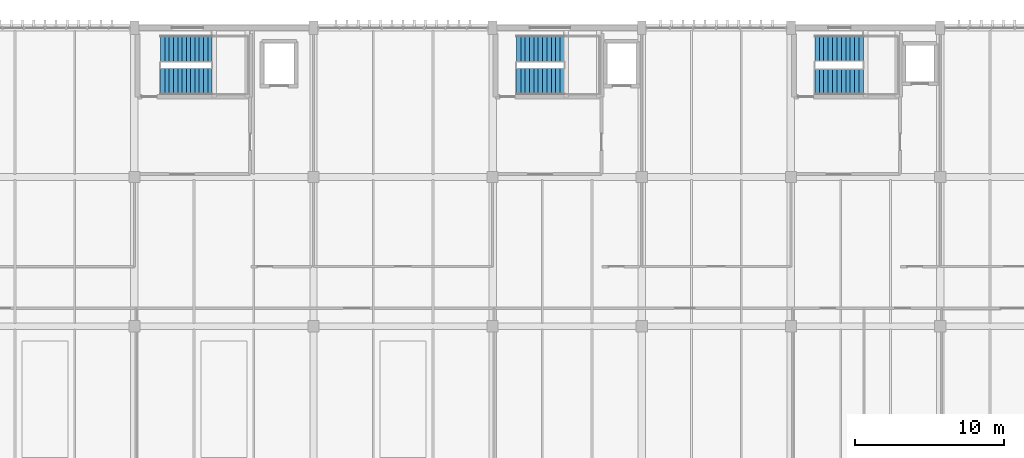
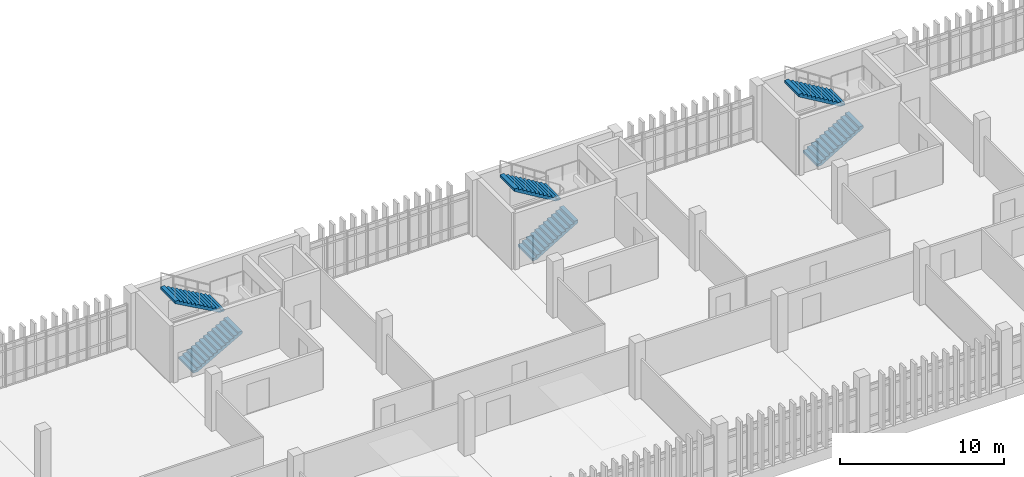
# One storey, part 107 of 111: 6 stair flights, 3 elements without a shape of their own.
"""IFC4 building model written with IfcOpenShell, lengths in metres."""

from ifc_helpers import new_model, si_unit, direction, frame, origin, place, context, subcontext, project, spatial, polyline, outline, extrude, material, type_object, element, aggregate, save


model = new_model("IFC4")

# Units and contexts
model_context = context("Model", 3, precision=1e-05, world=origin(), true_north=direction((0.0, 1.0)))
body_context = subcontext(model_context, "Body", "Model", "MODEL_VIEW")
ifc_project = project(units=[si_unit("LENGTHUNIT", "METRE"), si_unit("AREAUNIT", "SQUARE_METRE"), si_unit("VOLUMEUNIT", "CUBIC_METRE"), si_unit("PLANEANGLEUNIT", "RADIAN"), si_unit("MASSUNIT", "GRAM", prefix="KILO")], contexts=[model_context])

# Site, building, storey
site_placement = place(None, origin())
site = spatial("IfcSite", under=ifc_project, at=site_placement, CompositionType="ELEMENT")
building_placement = place(site_placement, origin())
building = spatial("IfcBuilding", under=site, at=building_placement, Name="Mersad Railyard Sports Hall", CompositionType="ELEMENT")
storey_placement = place(building_placement, frame((0.0, 0.0, 9.0)))
storey = spatial("IfcBuildingStorey", under=building, at=storey_placement, Name="L02", CompositionType="ELEMENT", Elevation=9.0)

# Stair, stair flights
ifc_material = material(Name="Concrete C40/50", Category="concrete")
stair_type_1 = type_object("IfcStairType", Name="ARC-ST-ST01D", PredefinedType="HALF_TURN_STAIR", material=ifc_material)
stair_1_placement = place(storey_placement, origin())
stair_1 = element("IfcStair", 1, at=stair_1_placement, inside=storey, type_object=stair_type_1, Name="Core C1 Exit Stair L02-L03", PredefinedType="HALF_TURN_STAIR")
stair_flight_type_1 = type_object("IfcStairFlightType", Name="ARC-SF-ST01DF", PredefinedType="STRAIGHT", material=ifc_material)
stair_flight_1_placement = place(storey_placement, frame((68.75, 111.409912109375, 0.0), z_axis=(0.0, 0.0, 1.0), x_axis=(1.0, 0.0, 0.0)))
stair_flight_1 = element("IfcStairFlight", 2, at=stair_flight_1_placement, type_object=stair_flight_type_1, Name="Core C1 Exit Stair L02-L03 Flight 1", NumberOfRisers=13, NumberOfTreads=12, PredefinedType="STRAIGHT", RiserHeight=0.161538, TreadLength=0.288, context=body_context, shape_type="SweptSolid", body=[
    extrude(outline(polyline([(0.0, 0.0), (0.0, 0.16162109375), (0.2880859375, 0.16162109375), (0.2880859375, 0.322998046875), (0.575927734375, 0.322998046875), (0.575927734375, 0.484619140625), (0.864013671875, 0.484619140625), (0.864013671875, 0.646240234375), (1.152099609375, 0.646240234375), (1.152099609375, 0.8076171875), (1.43994140625, 0.8076171875), (1.43994140625, 0.96923828125), (1.72802734375, 0.96923828125), (1.72802734375, 1.130859375), (2.01611328125, 1.130859375), (2.01611328125, 1.292236328125), (2.303955078125, 1.292236328125), (2.303955078125, 1.453857421875), (2.592041015625, 1.453857421875), (2.592041015625, 1.615478515625), (2.8798828125, 1.615478515625), (2.8798828125, 1.77685546875), (3.16796875, 1.77685546875), (3.16796875, 1.9384765625), (3.4560546875, 1.9384765625), (3.4560546875, 2.10009765625), (3.4560546875, 1.755126953125), (0.326904296875, 0.0), (0.0, 0.0)])), frame((0.0, 0.89013671875, 0.0), z_axis=(0.0, -1.0, 0.0), x_axis=(1.0, 0.0, 0.0)), (0.0, 0.0, 1.0), 1.780029296875),
])
stair_flight_2_placement = place(storey_placement, frame((72.2060546875, 113.590087890625, 2.10009765625), z_axis=(0.0, 0.0, 1.0), x_axis=(-1.0, 0.0, 0.0)))
stair_flight_2 = element("IfcStairFlight", 3, at=stair_flight_2_placement, type_object=stair_flight_type_1, Name="Core C1 Exit Stair L02-L03 Flight 2", NumberOfRisers=13, NumberOfTreads=12, PredefinedType="STRAIGHT", RiserHeight=0.161538, TreadLength=0.288, context=body_context, shape_type="SweptSolid", body=[
    extrude(outline(polyline([(0.0, 0.0), (0.0, 0.16162109375), (0.2880859375, 0.16162109375), (0.2880859375, 0.322998046875), (0.575927734375, 0.322998046875), (0.575927734375, 0.484619140625), (0.864013671875, 0.484619140625), (0.864013671875, 0.646240234375), (1.152099609375, 0.646240234375), (1.152099609375, 0.8076171875), (1.43994140625, 0.8076171875), (1.43994140625, 0.96923828125), (1.72802734375, 0.96923828125), (1.72802734375, 1.130859375), (2.01611328125, 1.130859375), (2.01611328125, 1.292236328125), (2.303955078125, 1.292236328125), (2.303955078125, 1.453857421875), (2.592041015625, 1.453857421875), (2.592041015625, 1.615478515625), (2.8798828125, 1.615478515625), (2.8798828125, 1.77685546875), (3.16796875, 1.77685546875), (3.16796875, 1.9384765625), (3.4560546875, 1.9384765625), (3.4560546875, 2.10009765625), (3.4560546875, 1.755126953125), (0.326904296875, 0.0), (0.0, 0.0)])), frame((0.0, 0.89013671875, 0.0), z_axis=(0.0, -1.0, 0.0), x_axis=(1.0, 0.0, 0.0)), (0.0, 0.0, 1.0), 1.780029296875),
])
aggregate(stair_1, [stair_flight_1, stair_flight_2])

stair_type_2 = type_object("IfcStairType", Name="ARC-ST-ST02D", PredefinedType="HALF_TURN_STAIR", material=ifc_material)
stair_2_placement = place(storey_placement, origin())
stair_2 = element("IfcStair", 4, at=stair_2_placement, inside=storey, type_object=stair_type_2, Name="Core C2 Exit Stair L02-L03", PredefinedType="HALF_TURN_STAIR")
stair_flight_type_2 = type_object("IfcStairFlightType", Name="ARC-SF-ST02DF", PredefinedType="STRAIGHT", material=ifc_material)
stair_flight_3_placement = place(storey_placement, frame((92.60009765625, 111.409912109375, 0.0), z_axis=(0.0, 0.0, 1.0), x_axis=(1.0, 0.0, 0.0)))
stair_flight_3 = element("IfcStairFlight", 5, at=stair_flight_3_placement, type_object=stair_flight_type_2, Name="Core C2 Exit Stair L02-L03 Flight 1", NumberOfRisers=12, NumberOfTreads=11, PredefinedType="STRAIGHT", RiserHeight=0.175, TreadLength=0.292, context=body_context, shape_type="SweptSolid", body=[
    extrude(outline(polyline([(0.0, 0.0), (0.0, 0.175048828125), (0.2919921875, 0.175048828125), (0.2919921875, 0.35009765625), (0.583984375, 0.35009765625), (0.583984375, 0.52490234375), (0.8759765625, 0.52490234375), (0.8759765625, 0.699951171875), (1.16796875, 0.699951171875), (1.16796875, 0.875), (1.4599609375, 0.875), (1.4599609375, 1.050048828125), (1.751953125, 1.050048828125), (1.751953125, 1.22509765625), (2.0439453125, 1.22509765625), (2.0439453125, 1.39990234375), (2.3359375, 1.39990234375), (2.3359375, 1.574951171875), (2.6279296875, 1.574951171875), (2.6279296875, 1.75), (2.919921875, 1.75), (2.919921875, 1.925048828125), (3.2119140625, 1.925048828125), (3.2119140625, 2.10009765625), (3.2119140625, 1.738525390625), (0.31103515625, 0.0), (0.0, 0.0)])), frame((0.0, 0.89013671875, 0.0), z_axis=(0.0, -1.0, 0.0), x_axis=(1.0, 0.0, 0.0)), (0.0, 0.0, 1.0), 1.780029296875),
])
stair_flight_4_placement = place(storey_placement, frame((95.81201171875, 113.590087890625, 2.10009765625), z_axis=(0.0, 0.0, 1.0), x_axis=(-1.0, 0.0, 0.0)))
stair_flight_4 = element("IfcStairFlight", 6, at=stair_flight_4_placement, type_object=stair_flight_type_2, Name="Core C2 Exit Stair L02-L03 Flight 2", NumberOfRisers=12, NumberOfTreads=11, PredefinedType="STRAIGHT", RiserHeight=0.175, TreadLength=0.292, context=body_context, shape_type="SweptSolid", body=[
    extrude(outline(polyline([(0.0, 0.0), (0.0, 0.175048828125), (0.2919921875, 0.175048828125), (0.2919921875, 0.35009765625), (0.583984375, 0.35009765625), (0.583984375, 0.52490234375), (0.8759765625, 0.52490234375), (0.8759765625, 0.699951171875), (1.16796875, 0.699951171875), (1.16796875, 0.875), (1.4599609375, 0.875), (1.4599609375, 1.050048828125), (1.751953125, 1.050048828125), (1.751953125, 1.22509765625), (2.0439453125, 1.22509765625), (2.0439453125, 1.39990234375), (2.3359375, 1.39990234375), (2.3359375, 1.574951171875), (2.6279296875, 1.574951171875), (2.6279296875, 1.75), (2.919921875, 1.75), (2.919921875, 1.925048828125), (3.2119140625, 1.925048828125), (3.2119140625, 2.10009765625), (3.2119140625, 1.738525390625), (0.31103515625, 0.0), (0.0, 0.0)])), frame((0.0, 0.89013671875, 0.0), z_axis=(0.0, -1.0, 0.0), x_axis=(1.0, 0.0, 0.0)), (0.0, 0.0, 1.0), 1.780029296875),
])
aggregate(stair_2, [stair_flight_3, stair_flight_4])

stair_type_3 = type_object("IfcStairType", Name="ARC-ST-ST03D", PredefinedType="HALF_TURN_STAIR", material=ifc_material)
stair_3_placement = place(storey_placement, origin())
stair_3 = element("IfcStair", 7, at=stair_3_placement, inside=storey, type_object=stair_type_3, Name="Core C3 Exit Stair L02-L03", PredefinedType="HALF_TURN_STAIR")
stair_flight_type_3 = type_object("IfcStairFlightType", Name="ARC-SF-ST03DF", PredefinedType="STRAIGHT", material=ifc_material)
stair_flight_5_placement = place(storey_placement, frame((112.60009765625, 111.389892578125, 0.0), z_axis=(0.0, 0.0, 1.0), x_axis=(1.0, 0.0, 0.0)))
stair_flight_5 = element("IfcStairFlight", 8, at=stair_flight_5_placement, type_object=stair_flight_type_3, Name="Core C3 Exit Stair L02-L03 Flight 1", NumberOfRisers=12, NumberOfTreads=11, PredefinedType="STRAIGHT", RiserHeight=0.175, TreadLength=0.296, context=body_context, shape_type="SweptSolid", body=[
    extrude(outline(polyline([(0.0, 0.0), (0.0, 0.175048828125), (0.2958984375, 0.175048828125), (0.2958984375, 0.35009765625), (0.592041015625, 0.35009765625), (0.592041015625, 0.52490234375), (0.887939453125, 0.52490234375), (0.887939453125, 0.699951171875), (1.18408203125, 0.699951171875), (1.18408203125, 0.875), (1.47998046875, 0.875), (1.47998046875, 1.050048828125), (1.77587890625, 1.050048828125), (1.77587890625, 1.22509765625), (2.072021484375, 1.22509765625), (2.072021484375, 1.39990234375), (2.367919921875, 1.39990234375), (2.367919921875, 1.574951171875), (2.6640625, 1.574951171875), (2.6640625, 1.75), (2.9599609375, 1.75), (2.9599609375, 1.925048828125), (3.256103515625, 1.925048828125), (3.256103515625, 2.10009765625), (3.256103515625, 1.7392578125), (0.314208984375, 0.0), (0.0, 0.0)])), frame((0.0, 0.8701171875, 0.0), z_axis=(0.0, -1.0, 0.0), x_axis=(1.0, 0.0, 0.0)), (0.0, 0.0, 1.0), 1.739990234375),
])
stair_flight_6_placement = place(storey_placement, frame((115.85595703125, 113.610107421875, 2.10009765625), z_axis=(0.0, 0.0, 1.0), x_axis=(-1.0, 0.0, 0.0)))
stair_flight_6 = element("IfcStairFlight", 9, at=stair_flight_6_placement, type_object=stair_flight_type_3, Name="Core C3 Exit Stair L02-L03 Flight 2", NumberOfRisers=12, NumberOfTreads=11, PredefinedType="STRAIGHT", RiserHeight=0.175, TreadLength=0.296, context=body_context, shape_type="SweptSolid", body=[
    extrude(outline(polyline([(0.0, 0.0), (0.0, 0.175048828125), (0.2958984375, 0.175048828125), (0.2958984375, 0.35009765625), (0.592041015625, 0.35009765625), (0.592041015625, 0.52490234375), (0.887939453125, 0.52490234375), (0.887939453125, 0.699951171875), (1.18408203125, 0.699951171875), (1.18408203125, 0.875), (1.47998046875, 0.875), (1.47998046875, 1.050048828125), (1.77587890625, 1.050048828125), (1.77587890625, 1.22509765625), (2.072021484375, 1.22509765625), (2.072021484375, 1.39990234375), (2.367919921875, 1.39990234375), (2.367919921875, 1.574951171875), (2.6640625, 1.574951171875), (2.6640625, 1.75), (2.9599609375, 1.75), (2.9599609375, 1.925048828125), (3.256103515625, 1.925048828125), (3.256103515625, 2.10009765625), (3.256103515625, 1.7392578125), (0.314208984375, 0.0), (0.0, 0.0)])), frame((0.0, 0.8701171875, 0.0), z_axis=(0.0, -1.0, 0.0), x_axis=(1.0, 0.0, 0.0)), (0.0, 0.0, 1.0), 1.739990234375),
])
aggregate(stair_3, [stair_flight_5, stair_flight_6])

save(model, "model.ifc")
